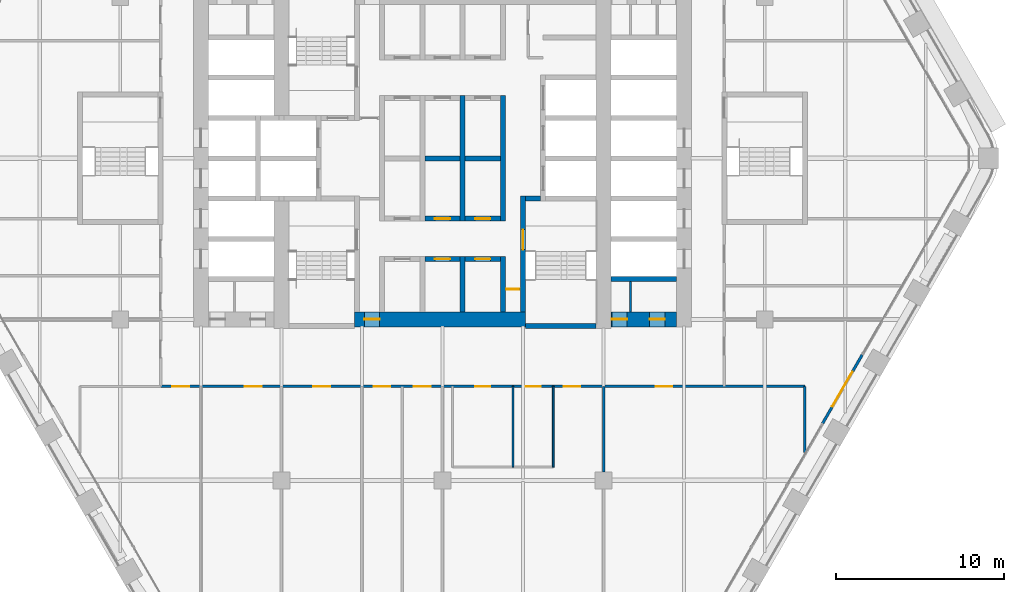
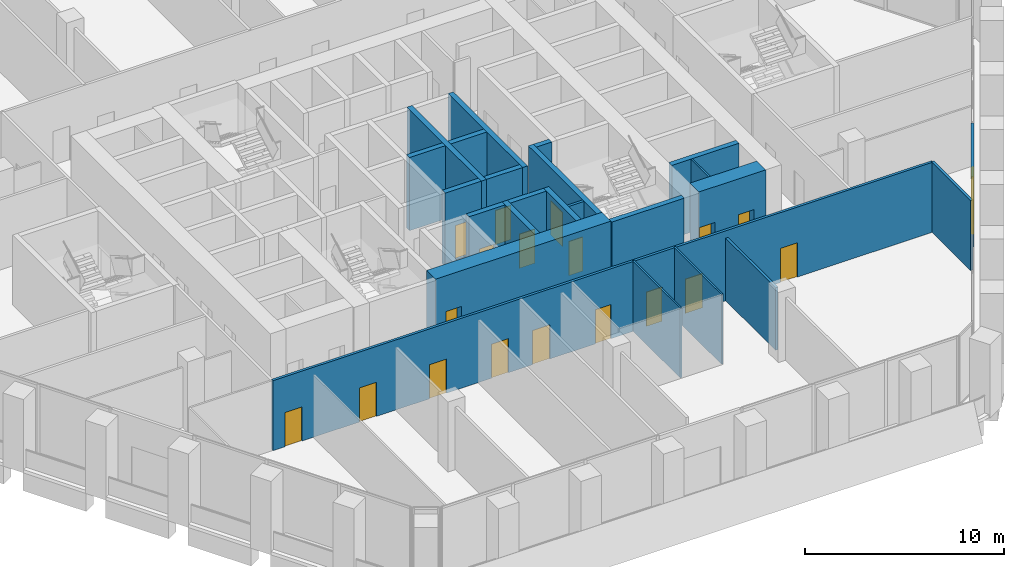
# One storey, part 14 of 23: 24 walls, 19 doors, 19 openings.
"""IFC4 building model written with IfcOpenShell, lengths in metres."""

from ifc_helpers import new_model, si_unit, direction, frame, frame_2d, origin, place, context, subcontext, project, spatial, rectangle, extrude, material, layer, layer_set, type_object, element, fill, save


model = new_model("IFC4")

# Units and contexts
model_context = context("Model", 3, precision=1e-05, world=origin(), true_north=direction((0.0, 1.0)))
body_context = subcontext(model_context, "Body", "Model", "MODEL_VIEW")
ifc_project = project(units=[si_unit("LENGTHUNIT", "METRE"), si_unit("AREAUNIT", "SQUARE_METRE"), si_unit("VOLUMEUNIT", "CUBIC_METRE"), si_unit("PLANEANGLEUNIT", "RADIAN"), si_unit("MASSUNIT", "GRAM", prefix="KILO")], contexts=[model_context])

# Site, building, storey
site_placement = place(None, origin())
site = spatial("IfcSite", under=ifc_project, at=site_placement, CompositionType="ELEMENT")
building_placement = place(site_placement, origin())
building = spatial("IfcBuilding", under=site, at=building_placement, Name="Kolab Exchange Tower", CompositionType="ELEMENT")
storey_placement = place(building_placement, frame((0.0, 0.0, 100.39990234375)))
storey = spatial("IfcBuildingStorey", under=building, at=storey_placement, Name="L19", CompositionType="ELEMENT", Elevation=100.39990234375)

# Wall, opening, door
ifc_material_1 = material(Name="Concrete C70/85", Category="concrete")
ifc_layer_1 = layer(ifc_material_1, 0.89990234375)
ifc_layer_set_1 = layer_set([ifc_layer_1], Name="Concrete C70/85")
wall_type_1 = type_object("IfcWallType", Name="CORE WALL 900 C70/85", PredefinedType="SHEAR", material=ifc_layer_set_1)
wall_1_placement = place(storey_placement, frame((-5.25, -9.60009765625, -0.199951171875), z_axis=(0.0, 0.0, 1.0), x_axis=(1.0, 0.0, 0.0)))
wall_1 = element("IfcWall", 1, at=wall_1_placement, inside=storey, type_object=wall_type_1, Name="wall/L19/core/003", PredefinedType="SHEAR", context=body_context, shape_type="SweptSolid", body=[
    extrude(rectangle(XDim=10.199951171875, YDim=0.89990234375, at=frame_2d((5.10009765625, 0.0))), origin(), (0.0, 0.0, 1.0), 4.5),
])
opening_1_placement = place(wall_1_placement, frame((0.60009765625, 0.0, 0.199951171875)))
opening_1 = element("IfcOpeningElement", 2, at=opening_1_placement, cuts=wall_1, Name="Opening D6-203", PredefinedType="OPENING", context=body_context, shape_type="SweptSolid", body=[
    extrude(rectangle(XDim=0.89990234375, YDim=2.10009765625, at=frame_2d((0.449951171875, 1.050048828125))), frame((0.0, 0.4599609375, 0.0), z_axis=(0.0, -1.0, 0.0), x_axis=(1.0, 0.0, 0.0)), (0.0, 0.0, 1.0), 0.919921875),
])
ifc_material_2 = material(Name="Steel S235", Category="steel")
door_type_1 = type_object("IfcDoorType", Name="CORE DOOR 900 EI 120", OperationType="SINGLE_SWING_LEFT", PredefinedType="DOOR", material=ifc_material_2)
door_1_placement = place(opening_1_placement, origin())
door_1 = element("IfcDoor", 3, at=door_1_placement, inside=storey, type_object=door_type_1, Name="Core lobby door", OperationType="SINGLE_SWING_RIGHT", OverallHeight=2.10009765625, OverallWidth=0.89990234375, PredefinedType="DOOR", context=body_context, shape_type="SweptSolid", body=[
    extrude(rectangle(XDim=0.89990234375, YDim=2.10009765625, at=frame_2d((0.449951171875, 1.050048828125))), frame((0.0, 0.02490234375, 0.0), z_axis=(0.0, -1.0, 0.0), x_axis=(1.0, 0.0, 0.0)), (0.0, 0.0, 1.0), 0.050048828125),
])
fill(opening_1, door_1)

# Wall, openings, doors
wall_2_placement = place(storey_placement, frame((10.050048828125, -9.60009765625, -0.199951171875), z_axis=(0.0, 0.0, 1.0), x_axis=(1.0, 0.0, 0.0)))
wall_2 = element("IfcWall", 4, at=wall_2_placement, inside=storey, type_object=wall_type_1, Name="wall/L19/core/004", PredefinedType="SHEAR", context=body_context, shape_type="SweptSolid", body=[
    extrude(rectangle(XDim=3.89990234375, YDim=0.89990234375, at=frame_2d((1.949951171875, 0.0))), origin(), (0.0, 0.0, 1.0), 4.5),
])
opening_2_placement = place(wall_2_placement, frame((0.050048828125, 0.0, 0.199951171875)))
opening_2 = element("IfcOpeningElement", 5, at=opening_2_placement, cuts=wall_2, Name="Opening D6-219", PredefinedType="OPENING", context=body_context, shape_type="SweptSolid", body=[
    extrude(rectangle(XDim=0.89990234375, YDim=2.10009765625, at=frame_2d((0.449951171875, 1.050048828125))), frame((0.0, 0.4599609375, 0.0), z_axis=(0.0, -1.0, 0.0), x_axis=(1.0, 0.0, 0.0)), (0.0, 0.0, 1.0), 0.919921875),
])
opening_3_placement = place(wall_2_placement, frame((2.300048828125, 0.0, 0.199951171875)))
opening_3 = element("IfcOpeningElement", 6, at=opening_3_placement, cuts=wall_2, Name="Opening D6-220", PredefinedType="OPENING", context=body_context, shape_type="SweptSolid", body=[
    extrude(rectangle(XDim=0.89990234375, YDim=2.10009765625, at=frame_2d((0.449951171875, 1.050048828125))), frame((0.0, 0.4599609375, 0.0), z_axis=(0.0, -1.0, 0.0), x_axis=(1.0, 0.0, 0.0)), (0.0, 0.0, 1.0), 0.919921875),
])
door_2_placement = place(opening_2_placement, origin())
door_2 = element("IfcDoor", 7, at=door_2_placement, inside=storey, type_object=door_type_1, Name="Service room door", OperationType="SINGLE_SWING_RIGHT", OverallHeight=2.10009765625, OverallWidth=0.89990234375, PredefinedType="DOOR", context=body_context, shape_type="SweptSolid", body=[
    extrude(rectangle(XDim=0.89990234375, YDim=2.10009765625, at=frame_2d((0.449951171875, 1.050048828125))), frame((0.0, 0.02490234375, 0.0), z_axis=(0.0, -1.0, 0.0), x_axis=(1.0, 0.0, 0.0)), (0.0, 0.0, 1.0), 0.050048828125),
])
fill(opening_2, door_2)
door_3_placement = place(opening_3_placement, origin())
door_3 = element("IfcDoor", 8, at=door_3_placement, inside=storey, type_object=door_type_1, Name="Service room door", OperationType="SINGLE_SWING_RIGHT", OverallHeight=2.10009765625, OverallWidth=0.89990234375, PredefinedType="DOOR", context=body_context, shape_type="SweptSolid", body=[
    extrude(rectangle(XDim=0.89990234375, YDim=2.10009765625, at=frame_2d((0.449951171875, 1.050048828125))), frame((0.0, 0.02490234375, 0.0), z_axis=(0.0, -1.0, 0.0), x_axis=(1.0, 0.0, 0.0)), (0.0, 0.0, 1.0), 0.050048828125),
])
fill(opening_3, door_3)

# Wall, opening, door
ifc_material_3 = material(Name="Aluminium EN AW-6063 T6", Category="aluminium")
ifc_layer_2 = layer(ifc_material_3, 0.159912109375)
ifc_layer_set_2 = layer_set([ifc_layer_2], Name="Aluminium EN AW-6063 T6")
wall_type_2 = type_object("IfcWallType", Name="DOOR SURROUND WALL 160 ALUMINIUM FRAMED", PredefinedType="PARTITIONING", material=ifc_layer_set_2)
wall_3_placement = place(storey_placement, frame((25.0166015625, -11.706787109375, 0.0), z_axis=(0.0, 0.0, 1.0), x_axis=(-0.499978080042, -0.866038058908, 0.0)))
wall_3 = element("IfcWall", 9, at=wall_3_placement, inside=storey, type_object=wall_type_2, Name="Door surround wall", PredefinedType="PARTITIONING", context=body_context, shape_type="SweptSolid", body=[
    extrude(rectangle(XDim=4.739990234375, YDim=0.159912109375, at=frame_2d((2.3701171875, 0.0))), origin(), (0.0, 0.0, 1.0), 4.300048828125),
])
opening_4_placement = place(wall_3_placement, frame((1.169921875, 0.0, 0.0)))
opening_4 = element("IfcOpeningElement", 10, at=opening_4_placement, cuts=wall_3, Name="Opening GD1-036", PredefinedType="OPENING", context=body_context, shape_type="SweptSolid", body=[
    extrude(rectangle(XDim=2.39990234375, YDim=2.39990234375, at=frame_2d((1.199951171875, 1.199951171875))), frame((0.0, 0.08984375, 0.0), z_axis=(0.0, -1.0, 0.0), x_axis=(1.0, 0.0, 0.0)), (0.0, 0.0, 1.0), 0.179931640625),
])
door_type_2 = type_object("IfcDoorType", Name="LOGGIA SLIDING GLASS DOOR 2400 X 2400", OperationType="DOUBLE_DOOR_SINGLE_SWING", PredefinedType="DOOR", material=ifc_material_3)
door_4_placement = place(opening_4_placement, origin())
door_4 = element("IfcDoor", 11, at=door_4_placement, inside=storey, type_object=door_type_2, Name="Loggia door", OperationType="DOUBLE_DOOR_SLIDING", OverallHeight=2.39990234375, OverallWidth=2.39990234375, PredefinedType="DOOR", context=body_context, shape_type="SweptSolid", body=[
    extrude(rectangle(XDim=2.39990234375, YDim=2.39990234375, at=frame_2d((1.199951171875, 1.199951171875))), frame((0.0, 0.02490234375, 0.0), z_axis=(0.0, -1.0, 0.0), x_axis=(1.0, 0.0, 0.0)), (0.0, 0.0, 1.0), 0.050048828125),
])
fill(opening_4, door_4)

# Wall
ifc_material_4 = material(Name="Concrete C50/60", Category="concrete")
ifc_layer_3 = layer(ifc_material_4, 0.300048828125)
ifc_layer_set_3 = layer_set([ifc_layer_3], Name="Concrete C50/60")
wall_type_3 = type_object("IfcWallType", Name="LIFT SHAFT WALL 300 C50/60", PredefinedType="STANDARD", material=ifc_layer_set_3)
wall_4_placement = place(storey_placement, frame((10.050048828125, -7.199951171875, -0.199951171875), z_axis=(0.0, 0.0, 1.0), x_axis=(1.0, 0.0, 0.0)))
element("IfcWall", 12, at=wall_4_placement, inside=storey, type_object=wall_type_3, Name="wall/L19/core/006", PredefinedType="STANDARD", context=body_context, shape_type="SweptSolid", body=[
    extrude(rectangle(XDim=3.89990234375, YDim=0.300048828125, at=frame_2d((1.949951171875, 0.0))), origin(), (0.0, 0.0, 1.0), 4.5),
])

# Wall, opening, door
wall_5_placement = place(storey_placement, frame((-1.050048828125, -6.0, -0.199951171875), z_axis=(0.0, 0.0, 1.0), x_axis=(1.0, 0.0, 0.0)))
wall_5 = element("IfcWall", 13, at=wall_5_placement, inside=storey, type_object=wall_type_3, Name="wall/L19/core/008", PredefinedType="STANDARD", context=body_context, shape_type="SweptSolid", body=[
    extrude(rectangle(XDim=2.10009765625, YDim=0.300048828125, at=frame_2d((1.050048828125, 0.0))), origin(), (0.0, 0.0, 1.0), 4.5),
])
opening_5_placement = place(wall_5_placement, frame((0.60009765625, 0.0, 0.199951171875)))
opening_5 = element("IfcOpeningElement", 14, at=opening_5_placement, cuts=wall_5, Name="Opening D6-224", PredefinedType="OPENING", context=body_context, shape_type="SweptSolid", body=[
    extrude(rectangle(XDim=0.89990234375, YDim=2.10009765625, at=frame_2d((0.449951171875, 1.050048828125))), frame((0.0, 0.16015625, 0.0), z_axis=(0.0, -1.0, 0.0), x_axis=(1.0, 0.0, 0.0)), (0.0, 0.0, 1.0), 0.320068359375),
])
door_5_placement = place(opening_5_placement, frame((0.89990234375, 0.0, 0.0), z_axis=(0.0, 0.0, 1.0), x_axis=(-1.0, 0.0, 0.0)))
door_5 = element("IfcDoor", 15, at=door_5_placement, inside=storey, type_object=door_type_1, Name="Service room door", OperationType="SINGLE_SWING_RIGHT", OverallHeight=2.10009765625, OverallWidth=0.89990234375, PredefinedType="DOOR", context=body_context, shape_type="SweptSolid", body=[
    extrude(rectangle(XDim=0.89990234375, YDim=2.10009765625, at=frame_2d((0.449951171875, 1.050048828125))), frame((0.0, 0.02490234375, 0.0), z_axis=(0.0, -1.0, 0.0), x_axis=(1.0, 0.0, 0.0)), (0.0, 0.0, 1.0), 0.050048828125),
])
fill(opening_5, door_5)

wall_6_placement = place(storey_placement, frame((1.35009765625, -6.0, -0.199951171875), z_axis=(0.0, 0.0, 1.0), x_axis=(1.0, 0.0, 0.0)))
wall_6 = element("IfcWall", 16, at=wall_6_placement, inside=storey, type_object=wall_type_3, Name="wall/L19/core/009", PredefinedType="STANDARD", context=body_context, shape_type="SweptSolid", body=[
    extrude(rectangle(XDim=2.099853515625, YDim=0.300048828125, at=frame_2d((1.0498046875, 0.0))), origin(), (0.0, 0.0, 1.0), 4.5),
])
opening_6_placement = place(wall_6_placement, frame((0.60009765625, 0.0, 0.199951171875)))
opening_6 = element("IfcOpeningElement", 17, at=opening_6_placement, cuts=wall_6, Name="Opening D6-200", PredefinedType="OPENING", context=body_context, shape_type="SweptSolid", body=[
    extrude(rectangle(XDim=0.89990234375, YDim=2.10009765625, at=frame_2d((0.449951171875, 1.050048828125))), frame((0.0, 0.16015625, 0.0), z_axis=(0.0, -1.0, 0.0), x_axis=(1.0, 0.0, 0.0)), (0.0, 0.0, 1.0), 0.320068359375),
])
door_6_placement = place(opening_6_placement, frame((0.89990234375, 0.0, 0.0), z_axis=(0.0, 0.0, 1.0), x_axis=(-1.0, 0.0, 0.0)))
door_6 = element("IfcDoor", 18, at=door_6_placement, inside=storey, type_object=door_type_1, Name="Service room door", OperationType="SINGLE_SWING_RIGHT", OverallHeight=2.10009765625, OverallWidth=0.89990234375, PredefinedType="DOOR", context=body_context, shape_type="SweptSolid", body=[
    extrude(rectangle(XDim=0.89990234375, YDim=2.10009765625, at=frame_2d((0.449951171875, 1.050048828125))), frame((0.0, 0.02490234375, 0.0), z_axis=(0.0, -1.0, 0.0), x_axis=(1.0, 0.0, 0.0)), (0.0, 0.0, 1.0), 0.050048828125),
])
fill(opening_6, door_6)

wall_7_placement = place(storey_placement, frame((-1.050048828125, -3.60009765625, -0.199951171875), z_axis=(0.0, 0.0, 1.0), x_axis=(1.0, 0.0, 0.0)))
wall_7 = element("IfcWall", 19, at=wall_7_placement, inside=storey, type_object=wall_type_3, Name="wall/L19/core/015", PredefinedType="STANDARD", context=body_context, shape_type="SweptSolid", body=[
    extrude(rectangle(XDim=2.10009765625, YDim=0.300048828125, at=frame_2d((1.050048828125, 0.0))), origin(), (0.0, 0.0, 1.0), 4.5),
])
opening_7_placement = place(wall_7_placement, frame((0.60009765625, 0.0, 0.199951171875)))
opening_7 = element("IfcOpeningElement", 20, at=opening_7_placement, cuts=wall_7, Name="Opening D6-215", PredefinedType="OPENING", context=body_context, shape_type="SweptSolid", body=[
    extrude(rectangle(XDim=0.89990234375, YDim=2.10009765625, at=frame_2d((0.449951171875, 1.050048828125))), frame((0.0, 0.16015625, 0.0), z_axis=(0.0, -1.0, 0.0), x_axis=(1.0, 0.0, 0.0)), (0.0, 0.0, 1.0), 0.320068359375),
])
door_7_placement = place(opening_7_placement, origin())
door_7 = element("IfcDoor", 21, at=door_7_placement, inside=storey, type_object=door_type_1, Name="Service room door", OperationType="SINGLE_SWING_LEFT", OverallHeight=2.10009765625, OverallWidth=0.89990234375, PredefinedType="DOOR", context=body_context, shape_type="SweptSolid", body=[
    extrude(rectangle(XDim=0.89990234375, YDim=2.10009765625, at=frame_2d((0.449951171875, 1.050048828125))), frame((0.0, 0.02490234375, 0.0), z_axis=(0.0, -1.0, 0.0), x_axis=(1.0, 0.0, 0.0)), (0.0, 0.0, 1.0), 0.050048828125),
])
fill(opening_7, door_7)

wall_8_placement = place(storey_placement, frame((1.35009765625, -3.60009765625, -0.199951171875), z_axis=(0.0, 0.0, 1.0), x_axis=(1.0, 0.0, 0.0)))
wall_8 = element("IfcWall", 22, at=wall_8_placement, inside=storey, type_object=wall_type_3, Name="wall/L19/core/016", PredefinedType="STANDARD", context=body_context, shape_type="SweptSolid", body=[
    extrude(rectangle(XDim=2.099853515625, YDim=0.300048828125, at=frame_2d((1.0498046875, 0.0))), origin(), (0.0, 0.0, 1.0), 4.5),
])
opening_8_placement = place(wall_8_placement, frame((0.60009765625, 0.0, 0.199951171875)))
opening_8 = element("IfcOpeningElement", 23, at=opening_8_placement, cuts=wall_8, Name="Opening D6-197", PredefinedType="OPENING", context=body_context, shape_type="SweptSolid", body=[
    extrude(rectangle(XDim=0.89990234375, YDim=2.10009765625, at=frame_2d((0.449951171875, 1.050048828125))), frame((0.0, 0.16015625, 0.0), z_axis=(0.0, -1.0, 0.0), x_axis=(1.0, 0.0, 0.0)), (0.0, 0.0, 1.0), 0.320068359375),
])
door_8_placement = place(opening_8_placement, origin())
door_8 = element("IfcDoor", 24, at=door_8_placement, inside=storey, type_object=door_type_1, Name="Service room door", OperationType="SINGLE_SWING_RIGHT", OverallHeight=2.10009765625, OverallWidth=0.89990234375, PredefinedType="DOOR", context=body_context, shape_type="SweptSolid", body=[
    extrude(rectangle(XDim=0.89990234375, YDim=2.10009765625, at=frame_2d((0.449951171875, 1.050048828125))), frame((0.0, 0.02490234375, 0.0), z_axis=(0.0, -1.0, 0.0), x_axis=(1.0, 0.0, 0.0)), (0.0, 0.0, 1.0), 0.050048828125),
])
fill(opening_8, door_8)

# Walls
wall_9_placement = place(storey_placement, frame((-1.050048828125, 0.0, -0.199951171875), z_axis=(0.0, 0.0, 1.0), x_axis=(1.0, 0.0, 0.0)))
element("IfcWall", 25, at=wall_9_placement, inside=storey, type_object=wall_type_3, Name="wall/L19/core/027", PredefinedType="STANDARD", context=body_context, shape_type="SweptSolid", body=[
    extrude(rectangle(XDim=2.10009765625, YDim=0.300048828125, at=frame_2d((1.050048828125, 0.0))), origin(), (0.0, 0.0, 1.0), 4.5),
])
wall_10_placement = place(storey_placement, frame((1.35009765625, 0.0, -0.199951171875), z_axis=(0.0, 0.0, 1.0), x_axis=(1.0, 0.0, 0.0)))
element("IfcWall", 26, at=wall_10_placement, inside=storey, type_object=wall_type_3, Name="wall/L19/core/028", PredefinedType="STANDARD", context=body_context, shape_type="SweptSolid", body=[
    extrude(rectangle(XDim=2.099853515625, YDim=0.300048828125, at=frame_2d((1.0498046875, 0.0))), origin(), (0.0, 0.0, 1.0), 4.5),
])
wall_11_placement = place(storey_placement, frame((1.199951171875, -9.14990234375, -0.199951171875), z_axis=(0.0, 0.0, 1.0), x_axis=(0.0, 1.0, 0.0)))
element("IfcWall", 27, at=wall_11_placement, inside=storey, type_object=wall_type_3, Name="wall/L19/core/072", PredefinedType="STANDARD", context=body_context, shape_type="SweptSolid", body=[
    extrude(rectangle(XDim=3.2998046875, YDim=0.300048828125, at=frame_2d((1.64990234375, 0.0))), origin(), (0.0, 0.0, 1.0), 4.5),
])
wall_12_placement = place(storey_placement, frame((1.199951171875, -3.75, -0.199951171875), z_axis=(0.0, 0.0, 1.0), x_axis=(0.0, 1.0, 0.0)))
element("IfcWall", 28, at=wall_12_placement, inside=storey, type_object=wall_type_3, Name="wall/L19/core/073", PredefinedType="STANDARD", context=body_context, shape_type="SweptSolid", body=[
    extrude(rectangle(XDim=7.5, YDim=0.300048828125, at=frame_2d((3.75, 0.0))), origin(), (0.0, 0.0, 1.0), 4.5),
])
wall_13_placement = place(storey_placement, frame((3.60009765625, -9.14990234375, -0.199951171875), z_axis=(0.0, 0.0, 1.0), x_axis=(0.0, 1.0, 0.0)))
element("IfcWall", 29, at=wall_13_placement, inside=storey, type_object=wall_type_3, Name="wall/L19/core/075", PredefinedType="STANDARD", context=body_context, shape_type="SweptSolid", body=[
    extrude(rectangle(XDim=3.2998046875, YDim=0.300048828125, at=frame_2d((1.64990234375, 0.0))), origin(), (0.0, 0.0, 1.0), 4.5),
])
wall_14_placement = place(storey_placement, frame((3.60009765625, -3.75, -0.199951171875), z_axis=(0.0, 0.0, 1.0), x_axis=(0.0, 1.0, 0.0)))
element("IfcWall", 30, at=wall_14_placement, inside=storey, type_object=wall_type_3, Name="wall/L19/core/076", PredefinedType="STANDARD", context=body_context, shape_type="SweptSolid", body=[
    extrude(rectangle(XDim=7.5, YDim=0.300048828125, at=frame_2d((3.75, 0.0))), origin(), (0.0, 0.0, 1.0), 4.5),
])
ifc_material_5 = material(Name="Gypsum board", Category="gypsum")
ifc_layer_4 = layer(ifc_material_5, 0.10009765625)
ifc_layer_set_4 = layer_set([ifc_layer_4], Name="Gypsum board")
wall_type_4 = type_object("IfcWallType", Name="PARTITION 100", PredefinedType="PARTITIONING", material=ifc_layer_set_4)
wall_15_placement = place(storey_placement, frame((11.199951171875, -9.14990234375, 0.0), z_axis=(0.0, 0.0, 1.0), x_axis=(0.0, 1.0, 0.0)))
element("IfcWall", 31, at=wall_15_placement, inside=storey, type_object=wall_type_4, Name="Partition 005", PredefinedType="PARTITIONING", context=body_context, shape_type="SweptSolid", body=[
    extrude(rectangle(XDim=1.7998046875, YDim=0.10009765625, at=frame_2d((0.89990234375, 0.0))), origin(), (0.0, 0.0, 1.0), 4.300048828125),
])
for number, where, z_axis, x_axis, name in (
    (32, (6.60009765625, -18.39990234375, 0.0), (0.0, 0.0, 1.0), (0.0, 1.0, 0.0), "Partition 011"),
    (33, (4.199951171875, -18.39990234375, 0.0), (0.0, 0.0, 1.0), (0.0, 1.0, 0.0), "Partition 014"),
):
    element("IfcWall", number, at=place(storey_placement, frame(where, z_axis=z_axis, x_axis=x_axis)), inside=storey, type_object=wall_type_4, Name=name, PredefinedType="PARTITIONING", context=body_context, shape_type="SweptSolid", body=[
        extrude(rectangle(XDim=4.7998046875, YDim=0.10009765625, at=frame_2d((2.39990234375, 0.0))), origin(), (0.0, 0.0, 1.0), 4.300048828125),
    ])
ifc_layer_5 = layer(ifc_material_5, 0.14990234375)
ifc_layer_set_5 = layer_set([ifc_layer_5], Name="Gypsum board")
wall_type_5 = type_object("IfcWallType", Name="PARTITION 150 FIRE-RATED", PredefinedType="PARTITIONING", material=ifc_layer_set_5)
wall_16_placement = place(storey_placement, frame((21.60009765625, -17.544677734375, 0.0), z_axis=(0.0, 0.0, 1.0), x_axis=(0.0, 1.0, 0.0)))
element("IfcWall", 34, at=wall_16_placement, inside=storey, type_object=wall_type_5, Name="Partition 000", PredefinedType="PARTITIONING", context=body_context, shape_type="SweptSolid", body=[
    extrude(rectangle(XDim=3.944580078125, YDim=0.14990234375, at=frame_2d((1.97216796875, 0.0))), origin(), (0.0, 0.0, 1.0), 4.300048828125),
])
wall_17_placement = place(storey_placement, frame((9.60009765625, -18.699951171875, 0.0), z_axis=(0.0, 0.0, 1.0), x_axis=(0.0, 1.0, 0.0)))
element("IfcWall", 35, at=wall_17_placement, inside=storey, type_object=wall_type_5, Name="Partition 008", PredefinedType="PARTITIONING", context=body_context, shape_type="SweptSolid", body=[
    extrude(rectangle(XDim=5.099853515625, YDim=0.14990234375, at=frame_2d((2.5498046875, 0.0))), origin(), (0.0, 0.0, 1.0), 3.843017578125),
])

# Wall, openings, doors
wall_18_placement = place(storey_placement, frame((-16.800048828125, -13.60009765625, 0.0), z_axis=(0.0, 0.0, 1.0), x_axis=(1.0, 0.0, 0.0)))
wall_18 = element("IfcWall", 36, at=wall_18_placement, inside=storey, type_object=wall_type_5, Name="Partition 037", PredefinedType="PARTITIONING", context=body_context, shape_type="SweptSolid", body=[
    extrude(rectangle(XDim=38.400146484375, YDim=0.14990234375, at=frame_2d((19.2001953125, 0.0))), origin(), (0.0, 0.0, 1.0), 4.300048828125),
])
opening_9_placement = place(wall_18_placement, frame((0.699951171875, 0.0, 0.0)))
opening_9 = element("IfcOpeningElement", 37, at=opening_9_placement, cuts=wall_18, Name="Opening D1-263", PredefinedType="OPENING", context=body_context, shape_type="SweptSolid", body=[
    extrude(rectangle(XDim=1.0, YDim=2.10009765625, at=frame_2d((0.5, 1.050048828125))), frame((0.0, 0.0849609375, 0.0), z_axis=(0.0, -1.0, 0.0), x_axis=(1.0, 0.0, 0.0)), (0.0, 0.0, 1.0), 0.169921875),
])
opening_10_placement = place(wall_18_placement, frame((5.02490234375, 0.0, 0.0)))
opening_10 = element("IfcOpeningElement", 38, at=opening_10_placement, cuts=wall_18, Name="Opening D1-264", PredefinedType="OPENING", context=body_context, shape_type="SweptSolid", body=[
    extrude(rectangle(XDim=1.0, YDim=2.10009765625, at=frame_2d((0.5, 1.050048828125))), frame((0.0, 0.0849609375, 0.0), z_axis=(0.0, -1.0, 0.0), x_axis=(1.0, 0.0, 0.0)), (0.0, 0.0, 1.0), 0.169921875),
])
opening_11_placement = place(wall_18_placement, frame((9.10009765625, 0.0, 0.0)))
opening_11 = element("IfcOpeningElement", 39, at=opening_11_placement, cuts=wall_18, Name="Opening D1-265", PredefinedType="OPENING", context=body_context, shape_type="SweptSolid", body=[
    extrude(rectangle(XDim=1.0, YDim=2.10009765625, at=frame_2d((0.5, 1.050048828125))), frame((0.0, 0.0849609375, 0.0), z_axis=(0.0, -1.0, 0.0), x_axis=(1.0, 0.0, 0.0)), (0.0, 0.0, 1.0), 0.169921875),
])
opening_12_placement = place(wall_18_placement, frame((12.699951171875, 0.0, 0.0)))
opening_12 = element("IfcOpeningElement", 40, at=opening_12_placement, cuts=wall_18, Name="Opening D1-266", PredefinedType="OPENING", context=body_context, shape_type="SweptSolid", body=[
    extrude(rectangle(XDim=1.0, YDim=2.10009765625, at=frame_2d((0.5, 1.050048828125))), frame((0.0, 0.0849609375, 0.0), z_axis=(0.0, -1.0, 0.0), x_axis=(1.0, 0.0, 0.0)), (0.0, 0.0, 1.0), 0.169921875),
])
opening_13_placement = place(wall_18_placement, frame((15.10009765625, 0.0, 0.0)))
opening_13 = element("IfcOpeningElement", 41, at=opening_13_placement, cuts=wall_18, Name="Opening D1-267", PredefinedType="OPENING", context=body_context, shape_type="SweptSolid", body=[
    extrude(rectangle(XDim=1.0, YDim=2.10009765625, at=frame_2d((0.5, 1.050048828125))), frame((0.0, 0.0849609375, 0.0), z_axis=(0.0, -1.0, 0.0), x_axis=(1.0, 0.0, 0.0)), (0.0, 0.0, 1.0), 0.169921875),
])
opening_14_placement = place(wall_18_placement, frame((24.014892578125, 0.0, 0.0)))
opening_14 = element("IfcOpeningElement", 42, at=opening_14_placement, cuts=wall_18, Name="Opening D1-268", PredefinedType="OPENING", context=body_context, shape_type="SweptSolid", body=[
    extrude(rectangle(XDim=1.0, YDim=2.10009765625, at=frame_2d((0.5, 1.050048828125))), frame((0.0, 0.0849609375, 0.0), z_axis=(0.0, -1.0, 0.0), x_axis=(1.0, 0.0, 0.0)), (0.0, 0.0, 1.0), 0.169921875),
])
opening_15_placement = place(wall_18_placement, frame((29.5, 0.0, 0.0)))
opening_15 = element("IfcOpeningElement", 43, at=opening_15_placement, cuts=wall_18, Name="Opening D1-269", PredefinedType="OPENING", context=body_context, shape_type="SweptSolid", body=[
    extrude(rectangle(XDim=1.0, YDim=2.10009765625, at=frame_2d((0.5, 1.050048828125))), frame((0.0, 0.0849609375, 0.0), z_axis=(0.0, -1.0, 0.0), x_axis=(1.0, 0.0, 0.0)), (0.0, 0.0, 1.0), 0.169921875),
])
opening_16_placement = place(wall_18_placement, frame((18.75, 0.0, 0.0)))
opening_16 = element("IfcOpeningElement", 44, at=opening_16_placement, cuts=wall_18, Name="Opening D3-025", PredefinedType="OPENING", context=body_context, shape_type="SweptSolid", body=[
    extrude(rectangle(XDim=0.89990234375, YDim=2.10009765625, at=frame_2d((0.449951171875, 1.050048828125))), frame((0.0, 0.0849609375, 0.0), z_axis=(0.0, -1.0, 0.0), x_axis=(1.0, 0.0, 0.0)), (0.0, 0.0, 1.0), 0.169921875),
])
opening_17_placement = place(wall_18_placement, frame((21.75, 0.0, 0.0)))
opening_17 = element("IfcOpeningElement", 45, at=opening_17_placement, cuts=wall_18, Name="Opening D3-026", PredefinedType="OPENING", context=body_context, shape_type="SweptSolid", body=[
    extrude(rectangle(XDim=0.89990234375, YDim=2.10009765625, at=frame_2d((0.449951171875, 1.050048828125))), frame((0.0, 0.0849609375, 0.0), z_axis=(0.0, -1.0, 0.0), x_axis=(1.0, 0.0, 0.0)), (0.0, 0.0, 1.0), 0.169921875),
])
door_type_3 = type_object("IfcDoorType", Name="FLUSH DOOR 1000 FD60", OperationType="SINGLE_SWING_LEFT", PredefinedType="DOOR", material=ifc_material_2)
door_9_placement = place(opening_9_placement, frame((1.0, 0.0, 0.0), z_axis=(0.0, 0.0, 1.0), x_axis=(-1.0, 0.0, 0.0)))
door_9 = element("IfcDoor", 46, at=door_9_placement, inside=storey, type_object=door_type_3, Name="Door L19-057", OperationType="SINGLE_SWING_RIGHT", OverallHeight=2.10009765625, OverallWidth=1.0, PredefinedType="DOOR", context=body_context, shape_type="SweptSolid", body=[
    extrude(rectangle(XDim=1.0, YDim=2.10009765625, at=frame_2d((0.5, 1.050048828125))), frame((0.0, 0.02490234375, 0.0), z_axis=(0.0, -1.0, 0.0), x_axis=(1.0, 0.0, 0.0)), (0.0, 0.0, 1.0), 0.050048828125),
])
fill(opening_9, door_9)
door_10_placement = place(opening_10_placement, frame((1.0, 0.0, 0.0), z_axis=(0.0, 0.0, 1.0), x_axis=(-1.0, 0.0, 0.0)))
door_10 = element("IfcDoor", 47, at=door_10_placement, inside=storey, type_object=door_type_3, Name="Door L19-058", OperationType="SINGLE_SWING_RIGHT", OverallHeight=2.10009765625, OverallWidth=1.0, PredefinedType="DOOR", context=body_context, shape_type="SweptSolid", body=[
    extrude(rectangle(XDim=1.0, YDim=2.10009765625, at=frame_2d((0.5, 1.050048828125))), frame((0.0, 0.02490234375, 0.0), z_axis=(0.0, -1.0, 0.0), x_axis=(1.0, 0.0, 0.0)), (0.0, 0.0, 1.0), 0.050048828125),
])
fill(opening_10, door_10)
door_11_placement = place(opening_11_placement, frame((1.0, 0.0, 0.0), z_axis=(0.0, 0.0, 1.0), x_axis=(-1.0, 0.0, 0.0)))
door_11 = element("IfcDoor", 48, at=door_11_placement, inside=storey, type_object=door_type_3, Name="Door L19-059", OperationType="SINGLE_SWING_LEFT", OverallHeight=2.10009765625, OverallWidth=1.0, PredefinedType="DOOR", context=body_context, shape_type="SweptSolid", body=[
    extrude(rectangle(XDim=1.0, YDim=2.10009765625, at=frame_2d((0.5, 1.050048828125))), frame((0.0, 0.02490234375, 0.0), z_axis=(0.0, -1.0, 0.0), x_axis=(1.0, 0.0, 0.0)), (0.0, 0.0, 1.0), 0.050048828125),
])
fill(opening_11, door_11)
door_12_placement = place(opening_12_placement, frame((1.0, 0.0, 0.0), z_axis=(0.0, 0.0, 1.0), x_axis=(-1.0, 0.0, 0.0)))
door_12 = element("IfcDoor", 49, at=door_12_placement, inside=storey, type_object=door_type_3, Name="Door L19-060", OperationType="SINGLE_SWING_LEFT", OverallHeight=2.10009765625, OverallWidth=1.0, PredefinedType="DOOR", context=body_context, shape_type="SweptSolid", body=[
    extrude(rectangle(XDim=1.0, YDim=2.10009765625, at=frame_2d((0.5, 1.050048828125))), frame((0.0, 0.02490234375, 0.0), z_axis=(0.0, -1.0, 0.0), x_axis=(1.0, 0.0, 0.0)), (0.0, 0.0, 1.0), 0.050048828125),
])
fill(opening_12, door_12)
door_13_placement = place(opening_13_placement, frame((1.0, 0.0, 0.0), z_axis=(0.0, 0.0, 1.0), x_axis=(-1.0, 0.0, 0.0)))
door_13 = element("IfcDoor", 50, at=door_13_placement, inside=storey, type_object=door_type_3, Name="Door L19-061", OperationType="SINGLE_SWING_LEFT", OverallHeight=2.10009765625, OverallWidth=1.0, PredefinedType="DOOR", context=body_context, shape_type="SweptSolid", body=[
    extrude(rectangle(XDim=1.0, YDim=2.10009765625, at=frame_2d((0.5, 1.050048828125))), frame((0.0, 0.02490234375, 0.0), z_axis=(0.0, -1.0, 0.0), x_axis=(1.0, 0.0, 0.0)), (0.0, 0.0, 1.0), 0.050048828125),
])
fill(opening_13, door_13)
door_14_placement = place(opening_14_placement, frame((1.0, 0.0, 0.0), z_axis=(0.0, 0.0, 1.0), x_axis=(-1.0, 0.0, 0.0)))
door_14 = element("IfcDoor", 51, at=door_14_placement, inside=storey, type_object=door_type_3, Name="Door L19-062", OperationType="SINGLE_SWING_LEFT", OverallHeight=2.10009765625, OverallWidth=1.0, PredefinedType="DOOR", context=body_context, shape_type="SweptSolid", body=[
    extrude(rectangle(XDim=1.0, YDim=2.10009765625, at=frame_2d((0.5, 1.050048828125))), frame((0.0, 0.02490234375, 0.0), z_axis=(0.0, -1.0, 0.0), x_axis=(1.0, 0.0, 0.0)), (0.0, 0.0, 1.0), 0.050048828125),
])
fill(opening_14, door_14)
door_15_placement = place(opening_15_placement, frame((1.0, 0.0, 0.0), z_axis=(0.0, 0.0, 1.0), x_axis=(-1.0, 0.0, 0.0)))
door_15 = element("IfcDoor", 52, at=door_15_placement, inside=storey, type_object=door_type_3, Name="Door L19-063", OperationType="SINGLE_SWING_LEFT", OverallHeight=2.10009765625, OverallWidth=1.0, PredefinedType="DOOR", context=body_context, shape_type="SweptSolid", body=[
    extrude(rectangle(XDim=1.0, YDim=2.10009765625, at=frame_2d((0.5, 1.050048828125))), frame((0.0, 0.02490234375, 0.0), z_axis=(0.0, -1.0, 0.0), x_axis=(1.0, 0.0, 0.0)), (0.0, 0.0, 1.0), 0.050048828125),
])
fill(opening_15, door_15)
door_type_4 = type_object("IfcDoorType", Name="FLUSH DOOR 900 FD60", OperationType="SINGLE_SWING_LEFT", PredefinedType="DOOR", material=ifc_material_2)
door_16_placement = place(opening_16_placement, frame((0.89990234375, 0.0, 0.0), z_axis=(0.0, 0.0, 1.0), x_axis=(-1.0, 0.0, 0.0)))
door_16 = element("IfcDoor", 53, at=door_16_placement, inside=storey, type_object=door_type_4, Name="Door L19-076", OperationType="SINGLE_SWING_LEFT", OverallHeight=2.10009765625, OverallWidth=0.89990234375, PredefinedType="DOOR", context=body_context, shape_type="SweptSolid", body=[
    extrude(rectangle(XDim=0.89990234375, YDim=2.10009765625, at=frame_2d((0.449951171875, 1.050048828125))), frame((0.0, 0.02490234375, 0.0), z_axis=(0.0, -1.0, 0.0), x_axis=(1.0, 0.0, 0.0)), (0.0, 0.0, 1.0), 0.050048828125),
])
fill(opening_16, door_16)
door_17_placement = place(opening_17_placement, frame((0.89990234375, 0.0, 0.0), z_axis=(0.0, 0.0, 1.0), x_axis=(-1.0, 0.0, 0.0)))
door_17 = element("IfcDoor", 54, at=door_17_placement, inside=storey, type_object=door_type_4, Name="Door L19-077", OperationType="SINGLE_SWING_LEFT", OverallHeight=2.10009765625, OverallWidth=0.89990234375, PredefinedType="DOOR", context=body_context, shape_type="SweptSolid", body=[
    extrude(rectangle(XDim=0.89990234375, YDim=2.10009765625, at=frame_2d((0.449951171875, 1.050048828125))), frame((0.0, 0.02490234375, 0.0), z_axis=(0.0, -1.0, 0.0), x_axis=(1.0, 0.0, 0.0)), (0.0, 0.0, 1.0), 0.050048828125),
])
fill(opening_17, door_17)

# Wall, opening, door
wall_19_placement = place(storey_placement, frame((3.75, -7.800048828125, 0.0), z_axis=(0.0, 0.0, 1.0), x_axis=(1.0, 0.0, 0.0)))
wall_19 = element("IfcWall", 55, at=wall_19_placement, inside=storey, type_object=wall_type_5, Name="Partition 042", PredefinedType="PARTITIONING", context=body_context, shape_type="SweptSolid", body=[
    extrude(rectangle(XDim=0.89990234375, YDim=0.14990234375, at=frame_2d((0.449951171875, 0.0))), origin(), (0.0, 0.0, 1.0), 4.300048828125),
])
opening_18_placement = place(wall_19_placement, frame((0.050048828125, 0.0, 0.0)))
opening_18 = element("IfcOpeningElement", 56, at=opening_18_placement, cuts=wall_19, Name="Opening D7-022", PredefinedType="OPENING", context=body_context, shape_type="SweptSolid", body=[
    extrude(rectangle(XDim=0.800048828125, YDim=2.10009765625, at=frame_2d((0.39990234375, 1.050048828125))), frame((0.0, 0.0849609375, 0.0), z_axis=(0.0, -1.0, 0.0), x_axis=(1.0, 0.0, 0.0)), (0.0, 0.0, 1.0), 0.169921875),
])
door_type_5 = type_object("IfcDoorType", Name="FLUSH DOOR 800 FD60", OperationType="SINGLE_SWING_LEFT", PredefinedType="DOOR", material=ifc_material_2)
door_18_placement = place(opening_18_placement, frame((0.800048828125, 0.0, 0.0), z_axis=(0.0, 0.0, 1.0), x_axis=(-1.0, 0.0, 0.0)))
door_18 = element("IfcDoor", 57, at=door_18_placement, inside=storey, type_object=door_type_5, Name="Door L19-043", OperationType="SINGLE_SWING_RIGHT", OverallHeight=2.10009765625, OverallWidth=0.800048828125, PredefinedType="DOOR", context=body_context, shape_type="SweptSolid", body=[
    extrude(rectangle(XDim=0.800048828125, YDim=2.10009765625, at=frame_2d((0.39990234375, 1.050048828125))), frame((0.0, 0.02490234375, 0.0), z_axis=(0.0, -1.0, 0.0), x_axis=(1.0, 0.0, 0.0)), (0.0, 0.0, 1.0), 0.050048828125),
])
fill(opening_18, door_18)

# Walls
ifc_layer_6 = layer(ifc_material_4, 0.300048828125)
ifc_layer_set_6 = layer_set([ifc_layer_6], Name="Concrete C50/60")
wall_type_6 = type_object("IfcWallType", Name="STAIR ENCLOSURE WALL 300 C50/60", PredefinedType="STANDARD", material=ifc_layer_set_6)
wall_20_placement = place(storey_placement, frame((4.949951171875, -10.0, -0.199951171875), z_axis=(0.0, 0.0, 1.0), x_axis=(1.0, 0.0, 0.0)))
element("IfcWall", 58, at=wall_20_placement, inside=storey, type_object=wall_type_6, Name="wall/L19/core/001", PredefinedType="STANDARD", context=body_context, shape_type="SweptSolid", body=[
    extrude(rectangle(XDim=4.199951171875, YDim=0.300048828125, at=frame_2d((2.10009765625, 0.0))), origin(), (0.0, 0.0, 1.0), 4.5),
])
wall_21_placement = place(storey_placement, frame((4.949951171875, -2.39990234375, -0.199951171875), z_axis=(0.0, 0.0, 1.0), x_axis=(1.0, 0.0, 0.0)))
element("IfcWall", 59, at=wall_21_placement, inside=storey, type_object=wall_type_6, Name="wall/L19/core/021", PredefinedType="STANDARD", context=body_context, shape_type="SweptSolid", body=[
    extrude(rectangle(XDim=0.900146484375, YDim=0.300048828125, at=frame_2d((0.4501953125, 0.0))), origin(), (0.0, 0.0, 1.0), 4.5),
])

# Wall, opening, door
wall_22_placement = place(storey_placement, frame((4.800048828125, -9.14990234375, -0.199951171875), z_axis=(0.0, 0.0, 1.0), x_axis=(0.0, 1.0, 0.0)))
wall_22 = element("IfcWall", 60, at=wall_22_placement, inside=storey, type_object=wall_type_6, Name="wall/L19/core/078", PredefinedType="STANDARD", context=body_context, shape_type="SweptSolid", body=[
    extrude(rectangle(XDim=6.89990234375, YDim=0.300048828125, at=frame_2d((3.449951171875, 0.0))), origin(), (0.0, 0.0, 1.0), 4.5),
])
opening_19_placement = place(wall_22_placement, frame((3.699951171875, 0.0, 0.199951171875)))
opening_19 = element("IfcOpeningElement", 61, at=opening_19_placement, cuts=wall_22, Name="Opening D4-045", PredefinedType="OPENING", context=body_context, shape_type="SweptSolid", body=[
    extrude(rectangle(XDim=1.199951171875, YDim=2.10009765625, at=frame_2d((0.60009765625, 1.050048828125))), frame((0.0, 0.16015625, 0.0), z_axis=(0.0, -1.0, 0.0), x_axis=(1.0, 0.0, 0.0)), (0.0, 0.0, 1.0), 0.320068359375),
])
door_type_6 = type_object("IfcDoorType", Name="STAIR DOOR 1200 EI 120", OperationType="SINGLE_SWING_LEFT", PredefinedType="DOOR", material=ifc_material_2)
door_19_placement = place(opening_19_placement, frame((1.199951171875, 0.0, 0.0), z_axis=(0.0, 0.0, 1.0), x_axis=(-1.0, 0.0, 0.0)))
door_19 = element("IfcDoor", 62, at=door_19_placement, inside=storey, type_object=door_type_6, Name="Stair 2 door", OperationType="SINGLE_SWING_RIGHT", OverallHeight=2.10009765625, OverallWidth=1.199951171875, PredefinedType="DOOR", context=body_context, shape_type="SweptSolid", body=[
    extrude(rectangle(XDim=1.199951171875, YDim=2.10009765625, at=frame_2d((0.60009765625, 1.050048828125))), frame((0.0, 0.02490234375, 0.0), z_axis=(0.0, -1.0, 0.0), x_axis=(1.0, 0.0, 0.0)), (0.0, 0.0, 1.0), 0.050048828125),
])
fill(opening_19, door_19)

save(model, "model.ifc")
